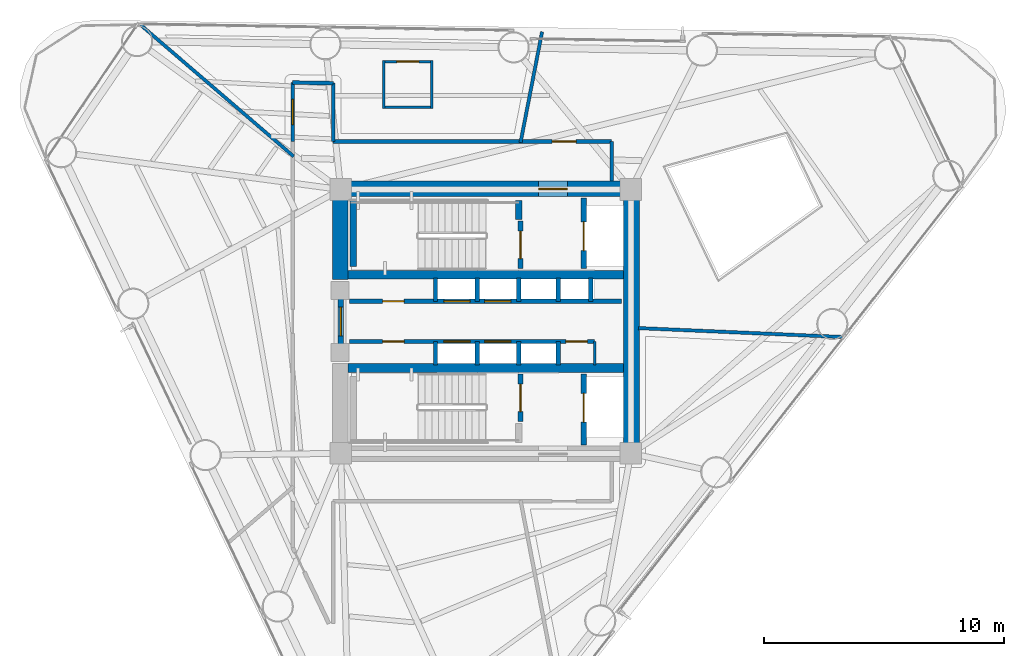
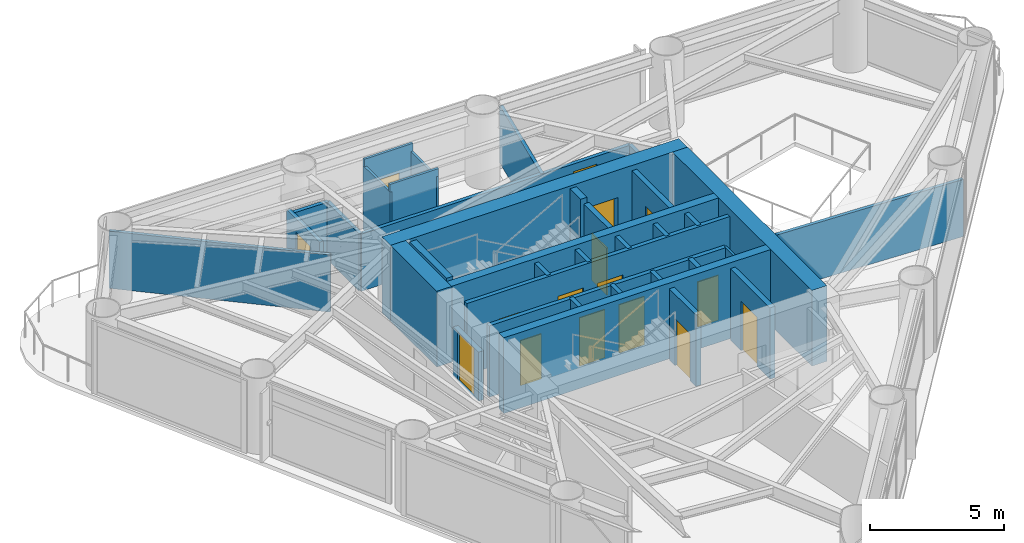
# One storey, part 6 of 10: 36 walls, 16 doors, 16 openings.
"""IFC4 building model written with IfcOpenShell, lengths in metres."""

from ifc_helpers import new_model, si_unit, direction, frame, frame_2d, origin, place, context, subcontext, project, spatial, rectangle, extrude, material, layer, layer_set, type_object, element, fill, save


model = new_model("IFC4")

# Units and contexts
model_context = context("Model", 3, precision=1e-05, world=origin(), true_north=direction((0.0, 1.0)))
body_context = subcontext(model_context, "Body", "Model", "MODEL_VIEW")
ifc_project = project(units=[si_unit("LENGTHUNIT", "METRE"), si_unit("AREAUNIT", "SQUARE_METRE"), si_unit("VOLUMEUNIT", "CUBIC_METRE"), si_unit("PLANEANGLEUNIT", "RADIAN"), si_unit("MASSUNIT", "GRAM", prefix="KILO")], contexts=[model_context])

# Site, building, storey
site_placement = place(None, origin())
site = spatial("IfcSite", under=ifc_project, at=site_placement, CompositionType="ELEMENT")
building_placement = place(site_placement, origin())
building = spatial("IfcBuilding", under=site, at=building_placement, Name="Yunling Apex Tower", CompositionType="ELEMENT")
storey_placement = place(building_placement, frame((0.0, 0.0, 146.75)))
storey = spatial("IfcBuildingStorey", under=building, at=storey_placement, Name="L36", CompositionType="ELEMENT", Elevation=146.75)

# Wall, opening, door
ifc_material_1 = material(Name="Concrete C50", Category="concrete")
ifc_layer_1 = layer(ifc_material_1, 0.64990234375)
ifc_layer_set_1 = layer_set([ifc_layer_1], Name="Concrete C50")
wall_type_1 = type_object("IfcWallType", Name="WL-COR-2", PredefinedType="SHEAR", material=ifc_layer_set_1)
wall_1_placement = place(storey_placement, frame((-6.39990234375, 5.52490234375, 0.0), z_axis=(0.0, 0.0, 1.0), x_axis=(1.0, 0.0, 0.0)))
wall_1 = element("IfcWall", 1, at=wall_1_placement, inside=storey, type_object=wall_type_1, Name="L36 North Core Shear Wall", PredefinedType="SHEAR", context=body_context, shape_type="SweptSolid", body=[
    extrude(rectangle(XDim=12.7998046875, YDim=0.64990234375, at=frame_2d((6.39990234375, 0.0))), origin(), (0.0, 0.0, 1.0), 3.449951171875),
])
opening_1_placement = place(wall_1_placement, frame((8.60009765625, 0.0, 0.0)))
opening_1 = element("IfcOpeningElement", 2, at=opening_1_placement, cuts=wall_1, Name="Opening DR-FFL-1", PredefinedType="OPENING", context=body_context, shape_type="SweptSolid", body=[
    extrude(rectangle(XDim=1.199951171875, YDim=2.199951171875, at=frame_2d((0.60009765625, 1.10009765625))), frame((0.0, 0.3349609375, 0.0), z_axis=(0.0, -1.0, 0.0), x_axis=(1.0, 0.0, 0.0)), (0.0, 0.0, 1.0), 0.669921875),
])
ifc_material_2 = material(Name="Steel Q355B", Category="steel")
door_type_1 = type_object("IfcDoorType", Name="DR-FFL-1", OperationType="NOTDEFINED", PredefinedType="DOOR", material=ifc_material_2)
door_1_placement = place(opening_1_placement, origin())
door_1 = element("IfcDoor", 3, at=door_1_placement, inside=storey, type_object=door_type_1, Name="L36 North Firefighting Lobby Door", OperationType="SINGLE_SWING_LEFT", OverallHeight=2.199951171875, OverallWidth=1.199951171875, PredefinedType="DOOR", context=body_context, shape_type="SweptSolid", body=[
    extrude(rectangle(XDim=1.199951171875, YDim=2.199951171875, at=frame_2d((0.60009765625, 1.10009765625))), frame((0.0, 0.02490234375, 0.0), z_axis=(0.0, -1.0, 0.0), x_axis=(1.0, 0.0, 0.0)), (0.0, 0.0, 1.0), 0.050048828125),
])
fill(opening_1, door_1)

# Walls
wall_2_placement = place(storey_placement, frame((6.074951171875, -5.199951171875, 0.0), z_axis=(0.0, 0.0, 1.0), x_axis=(0.0, 1.0, 0.0)))
element("IfcWall", 4, at=wall_2_placement, inside=storey, type_object=wall_type_1, Name="L36 East Core Shear Wall", PredefinedType="SHEAR", context=body_context, shape_type="SweptSolid", body=[
    extrude(rectangle(XDim=10.39990234375, YDim=0.64990234375, at=frame_2d((5.199951171875, 0.0))), origin(), (0.0, 0.0, 1.0), 3.449951171875),
])
wall_3_placement = place(storey_placement, frame((-6.074951171875, 1.75, 0.0), z_axis=(0.0, 0.0, 1.0), x_axis=(0.0, 1.0, 0.0)))
element("IfcWall", 5, at=wall_3_placement, inside=storey, type_object=wall_type_1, Name="L36 West-North Core Shear Wall", PredefinedType="SHEAR", context=body_context, shape_type="SweptSolid", body=[
    extrude(rectangle(XDim=3.449951171875, YDim=0.64990234375, at=frame_2d((1.72509765625, 0.0))), origin(), (0.0, 0.0, 1.0), 3.449951171875),
])
ifc_material_3 = material(Name="Concrete C40", Category="concrete")
ifc_layer_2 = layer(ifc_material_3, 0.360107421875)
ifc_layer_set_2 = layer_set([ifc_layer_2], Name="Concrete C40")
wall_type_2 = type_object("IfcWallType", Name="WL-COR-4", PredefinedType="SHEAR", material=ifc_layer_set_2)
for number, where, z_axis, x_axis, name in (
    (6, (-5.75, 1.93994140625, 0.0), (0.0, 0.0, 1.0), (1.0, 0.0, 0.0), "L36 North Internal Core Shear Wall"),
    (7, (-5.75, -1.93994140625, 0.0), (0.0, 0.0, 1.0), (1.0, 0.0, 0.0), "L36 South Internal Core Shear Wall"),
):
    element("IfcWall", number, at=place(storey_placement, frame(where, z_axis=z_axis, x_axis=x_axis)), inside=storey, type_object=wall_type_2, Name=name, PredefinedType="SHEAR", context=body_context, shape_type="SweptSolid", body=[
        extrude(rectangle(XDim=11.5, YDim=0.360107421875, at=frame_2d((5.75, 0.0))), origin(), (0.0, 0.0, 1.0), 3.449951171875),
    ])
ifc_layer_3 = layer(ifc_material_3, 0.280029296875)
ifc_layer_set_3 = layer_set([ifc_layer_3], Name="Concrete C40")
wall_type_3 = type_object("IfcWallType", Name="WL-COR-8", PredefinedType="SHEAR", material=ifc_layer_set_3)
wall_4_placement = place(storey_placement, frame((-5.52001953125, 2.300048828125, 0.0), z_axis=(0.0, 0.0, 1.0), x_axis=(0.0, 1.0, 0.0)))
element("IfcWall", 8, at=wall_4_placement, inside=storey, type_object=wall_type_3, Name="L36 ST-1 West Landing Bearing Wall", PredefinedType="SHEAR", context=body_context, shape_type="SweptSolid", body=[
    extrude(rectangle(XDim=2.75, YDim=0.280029296875, at=frame_2d((1.375, 0.0))), origin(), (0.0, 0.0, 1.0), 3.449951171875),
])
wall_5_placement = place(storey_placement, frame((1.3798828125, 4.25, 0.0), z_axis=(0.0, 0.0, 1.0), x_axis=(0.0, 1.0, 0.0)))
element("IfcWall", 9, at=wall_5_placement, inside=storey, type_object=wall_type_3, Name="L36 ST-1 East Landing Bearing Pier", PredefinedType="SHEAR", context=body_context, shape_type="SweptSolid", body=[
    extrude(rectangle(XDim=0.800048828125, YDim=0.280029296875, at=frame_2d((0.39990234375, 0.0))), origin(), (0.0, 0.0, 1.0), 3.449951171875),
])

# Wall, opening, door
ifc_material_4 = material(Name="Gypsum board acoustic partition")
ifc_layer_4 = layer(ifc_material_4, 0.159912109375)
ifc_layer_set_4 = layer_set([ifc_layer_4], Name="Gypsum board acoustic partition")
wall_type_4 = type_object("IfcWallType", Name="WL-PRT-1", PredefinedType="PARTITIONING", material=ifc_layer_set_4)
wall_6_placement = place(storey_placement, frame((-8.050048828125, 7.5, 0.0), z_axis=(0.0, 0.0, 1.0), x_axis=(0.0, 1.0, 0.0)))
wall_6 = element("IfcWall", 10, at=wall_6_placement, inside=storey, type_object=wall_type_4, Name="WL-CORR-L36-04", PredefinedType="PARTITIONING", context=body_context, shape_type="SweptSolid", body=[
    extrude(rectangle(XDim=2.4609375, YDim=0.159912109375, at=frame_2d((1.23046875, 0.0))), origin(), (0.0, 0.0, 1.0), 2.804931640625),
])
opening_2_placement = place(wall_6_placement, frame((0.70556640625, 0.0, 0.0)))
opening_2 = element("IfcOpeningElement", 11, at=opening_2_placement, cuts=wall_6, Name="Opening DR-FL-1", PredefinedType="OPENING", context=body_context, shape_type="SweptSolid", body=[
    extrude(rectangle(XDim=1.050048828125, YDim=2.199951171875, at=frame_2d((0.52490234375, 1.10009765625))), frame((0.0, 0.08984375, 0.0), z_axis=(0.0, -1.0, 0.0), x_axis=(1.0, 0.0, 0.0)), (0.0, 0.0, 1.0), 0.179931640625),
])
ifc_material_5 = material(Name="Timber fire-rated leaf", Category="wood")
door_type_2 = type_object("IfcDoorType", Name="DR-FL-1", OperationType="NOTDEFINED", PredefinedType="DOOR", material=ifc_material_5)
door_2_placement = place(opening_2_placement, origin())
door_2 = element("IfcDoor", 12, at=door_2_placement, inside=storey, type_object=door_type_2, Name="L36 Hotel Suite Door", OperationType="SINGLE_SWING_RIGHT", OverallHeight=2.199951171875, OverallWidth=1.050048828125, PredefinedType="DOOR", context=body_context, shape_type="SweptSolid", body=[
    extrude(rectangle(XDim=1.050048828125, YDim=2.199951171875, at=frame_2d((0.52490234375, 1.10009765625))), frame((0.0, 0.02490234375, 0.0), z_axis=(0.0, -1.0, 0.0), x_axis=(1.0, 0.0, 0.0)), (0.0, 0.0, 1.0), 0.050048828125),
])
fill(opening_2, door_2)

# Walls
wall_7_placement = place(storey_placement, frame((-8.050048828125, 9.9609375, 0.0), z_axis=(0.0, 0.0, 1.0), x_axis=(0.999859611566, -0.016755809729, 0.0)))
element("IfcWall", 13, at=wall_7_placement, inside=storey, type_object=wall_type_4, Name="WL-CORR-L36-05", PredefinedType="PARTITIONING", context=body_context, shape_type="SweptSolid", body=[
    extrude(rectangle(XDim=1.690185546875, YDim=0.159912109375, at=frame_2d((0.84521484375, 0.0))), origin(), (0.0, 0.0, 1.0), 2.60498046875),
])
wall_8_placement = place(storey_placement, frame((-6.360107421875, 9.9326171875, 0.0), z_axis=(0.0, 0.0, 1.0), x_axis=(0.0, -1.0, 0.0)))
element("IfcWall", 14, at=wall_8_placement, inside=storey, type_object=wall_type_4, Name="WL-CORR-L36-06", PredefinedType="PARTITIONING", context=body_context, shape_type="SweptSolid", body=[
    extrude(rectangle(XDim=2.4326171875, YDim=0.159912109375, at=frame_2d((1.21630859375, 0.0))), origin(), (0.0, 0.0, 1.0), 2.60498046875),
])

# Wall, opening, door
wall_9_placement = place(storey_placement, frame((-6.360107421875, 7.5, 0.0), z_axis=(0.0, 0.0, 1.0), x_axis=(1.0, 0.0, 0.0)))
wall_9 = element("IfcWall", 15, at=wall_9_placement, inside=storey, type_object=wall_type_4, Name="WL-CORR-L36-07", PredefinedType="PARTITIONING", context=body_context, shape_type="SweptSolid", body=[
    extrude(rectangle(XDim=11.610107421875, YDim=0.159912109375, at=frame_2d((5.80517578125, 0.0))), origin(), (0.0, 0.0, 1.0), 2.60498046875),
])
opening_3_placement = place(wall_9_placement, frame((9.12841796875, 0.0, 0.0)))
opening_3 = element("IfcOpeningElement", 16, at=opening_3_placement, cuts=wall_9, Name="Opening DR-OFF-1", PredefinedType="OPENING", context=body_context, shape_type="SweptSolid", body=[
    extrude(rectangle(XDim=1.0, YDim=2.25, at=frame_2d((0.5, 1.125))), frame((0.0, 0.08984375, 0.0), z_axis=(0.0, -1.0, 0.0), x_axis=(1.0, 0.0, 0.0)), (0.0, 0.0, 1.0), 0.179931640625),
])
ifc_material_6 = material(Name="Bronze anodised aluminium", Category="aluminium")
door_type_3 = type_object("IfcDoorType", Name="DR-OFF-1", OperationType="NOTDEFINED", PredefinedType="DOOR", material=ifc_material_6)
door_3_placement = place(opening_3_placement, origin())
door_3 = element("IfcDoor", 17, at=door_3_placement, inside=storey, type_object=door_type_3, Name="L36 Club Lounge Door", OperationType="SINGLE_SWING_LEFT", OverallHeight=2.25, OverallWidth=1.0, PredefinedType="DOOR", context=body_context, shape_type="SweptSolid", body=[
    extrude(rectangle(XDim=1.0, YDim=2.25, at=frame_2d((0.5, 1.125))), frame((0.0, 0.02490234375, 0.0), z_axis=(0.0, -1.0, 0.0), x_axis=(1.0, 0.0, 0.0)), (0.0, 0.0, 1.0), 0.050048828125),
])
fill(opening_3, door_3)

# Walls
wall_10_placement = place(storey_placement, frame((5.25, 7.5, 0.0), z_axis=(0.0, 0.0, 1.0), x_axis=(0.0, -1.0, 0.0)))
element("IfcWall", 18, at=wall_10_placement, inside=storey, type_object=wall_type_4, Name="WL-CORR-L36-08", PredefinedType="PARTITIONING", context=body_context, shape_type="SweptSolid", body=[
    extrude(rectangle(XDim=1.64990234375, YDim=0.159912109375, at=frame_2d((0.824951171875, 0.0))), origin(), (0.0, 0.0, 1.0), 2.60498046875),
])
ifc_layer_5 = layer(ifc_material_4, 0.139892578125)
ifc_layer_set_5 = layer_set([ifc_layer_5], Name="Gypsum board acoustic partition")
wall_type_5 = type_object("IfcWallType", Name="WL-PRT-2", PredefinedType="PARTITIONING", material=ifc_layer_set_5)
wall_11_placement = place(storey_placement, frame((6.360107421875, -0.277587890625, 0.0), z_axis=(0.0, 0.0, 1.0), x_axis=(0.999047707238, -0.043631166178, 0.0)))
element("IfcWall", 19, at=wall_11_placement, inside=storey, type_object=wall_type_5, Name="WL-RAD-L36-01", PredefinedType="PARTITIONING", context=body_context, shape_type="SweptSolid", body=[
    extrude(rectangle(XDim=8.52197265625, YDim=0.139892578125, at=frame_2d((4.260986328125, 0.0))), origin(), (0.0, 0.0, 1.0), 2.60498046875),
])
wall_12_placement = place(storey_placement, frame((1.4501953125, 7.4599609375, 0.0), z_axis=(0.0, 0.0, 1.0), x_axis=(0.190762676882, 0.981636185717, 0.0)))
element("IfcWall", 20, at=wall_12_placement, inside=storey, type_object=wall_type_5, Name="WL-RAD-L36-02", PredefinedType="PARTITIONING", context=body_context, shape_type="SweptSolid", body=[
    extrude(rectangle(XDim=4.703369140625, YDim=0.139892578125, at=frame_2d((2.3515625, 0.0))), origin(), (0.0, 0.0, 1.0), 2.60498046875),
])
wall_13_placement = place(storey_placement, frame((-8.010009765625, 6.881591796875, 0.0), z_axis=(0.0, 0.0, 1.0), x_axis=(-0.758515743862, 0.651654714026, 0.0)))
element("IfcWall", 21, at=wall_13_placement, inside=storey, type_object=wall_type_5, Name="WL-RAD-L36-03", PredefinedType="PARTITIONING", context=body_context, shape_type="SweptSolid", body=[
    extrude(rectangle(XDim=8.403076171875, YDim=0.139892578125, at=frame_2d((4.20166015625, 0.0))), origin(), (0.0, 0.0, 1.0), 2.60498046875),
])
ifc_layer_6 = layer(ifc_material_4, 0.10009765625)
ifc_layer_set_6 = layer_set([ifc_layer_6], Name="Gypsum board acoustic partition")
wall_type_6 = type_object("IfcWallType", Name="WL-PRT-4", PredefinedType="PARTITIONING", material=ifc_layer_set_6)
wall_14_placement = place(storey_placement, frame((4.5400390625, -1.820068359375, 0.0), z_axis=(0.0, 0.0, 1.0), x_axis=(0.0, 1.0, 0.0)))
element("IfcWall", 22, at=wall_14_placement, inside=storey, type_object=wall_type_6, Name="WL-KASE-E-L36", PredefinedType="PARTITIONING", context=body_context, shape_type="SweptSolid", body=[
    extrude(rectangle(XDim=0.97998046875, YDim=0.10009765625, at=frame_2d((0.489990234375, 0.0))), origin(), (0.0, 0.0, 1.0), 3.25),
])

# Wall, opening, door
wall_15_placement = place(storey_placement, frame((-4.300048828125, 10.8359375, 0.0), z_axis=(0.0, 0.0, 1.0), x_axis=(1.0, 0.0, 0.0)))
wall_15 = element("IfcWall", 23, at=wall_15_placement, inside=storey, type_object=wall_type_6, Name="WL-ENS-L36-4N", PredefinedType="PARTITIONING", context=body_context, shape_type="SweptSolid", body=[
    extrude(rectangle(XDim=2.10009765625, YDim=0.10009765625, at=frame_2d((1.050048828125, 0.0))), origin(), (0.0, 0.0, 1.0), 3.25),
])
opening_4_placement = place(wall_15_placement, frame((0.590087890625, 0.0, 0.0)))
opening_4 = element("IfcOpeningElement", 24, at=opening_4_placement, cuts=wall_15, Name="Opening DR-WC-1", PredefinedType="OPENING", context=body_context, shape_type="SweptSolid", body=[
    extrude(rectangle(XDim=0.919921875, YDim=2.10009765625, at=frame_2d((0.4599609375, 1.050048828125))), frame((0.0, 0.06005859375, 0.0), z_axis=(0.0, -1.0, 0.0), x_axis=(1.0, 0.0, 0.0)), (0.0, 0.0, 1.0), 0.1201171875),
])
ifc_material_7 = material(Name="Timber moisture-resistant leaf", Category="wood")
door_type_4 = type_object("IfcDoorType", Name="DR-WC-1", OperationType="NOTDEFINED", PredefinedType="DOOR", material=ifc_material_7)
door_4_placement = place(opening_4_placement, origin())
door_4 = element("IfcDoor", 25, at=door_4_placement, inside=storey, type_object=door_type_4, Name="L36 En-Suite Door", OperationType="SINGLE_SWING_LEFT", OverallHeight=2.10009765625, OverallWidth=0.919921875, PredefinedType="DOOR", context=body_context, shape_type="SweptSolid", body=[
    extrude(rectangle(XDim=0.919921875, YDim=2.10009765625, at=frame_2d((0.4599609375, 1.050048828125))), frame((0.0, 0.02490234375, 0.0), z_axis=(0.0, -1.0, 0.0), x_axis=(1.0, 0.0, 0.0)), (0.0, 0.0, 1.0), 0.050048828125),
])
fill(opening_4, door_4)

# Walls
wall_16_placement = place(storey_placement, frame((-2.199951171875, 8.93603515625, 0.0), z_axis=(0.0, 0.0, 1.0), x_axis=(-1.0, 0.0, 0.0)))
element("IfcWall", 26, at=wall_16_placement, inside=storey, type_object=wall_type_6, Name="WL-ENS-L36-4S", PredefinedType="PARTITIONING", context=body_context, shape_type="SweptSolid", body=[
    extrude(rectangle(XDim=2.10009765625, YDim=0.10009765625, at=frame_2d((1.050048828125, 0.0))), origin(), (0.0, 0.0, 1.0), 3.25),
])
for number, where, z_axis, x_axis, name in (
    (27, (-2.25, 10.885986328125, 0.0), (0.0, 0.0, 1.0), (0.0, -1.0, 0.0), "WL-ENS-L36-4E"),
    (28, (-4.25, 8.885986328125, 0.0), (0.0, 0.0, 1.0), (0.0, 1.0, 0.0), "WL-ENS-L36-4W"),
):
    element("IfcWall", number, at=place(storey_placement, frame(where, z_axis=z_axis, x_axis=x_axis)), inside=storey, type_object=wall_type_6, Name=name, PredefinedType="PARTITIONING", context=body_context, shape_type="SweptSolid", body=[
        extrude(rectangle(XDim=2.0, YDim=0.10009765625, at=frame_2d((1.0, 0.0))), origin(), (0.0, 0.0, 1.0), 2.905029296875),
    ])

# Wall, opening, door
ifc_material_8 = material(Name="Autoclaved aerated concrete masonry", Category="masonry")
ifc_layer_7 = layer(ifc_material_8, 0.219970703125)
ifc_layer_set_7 = layer_set([ifc_layer_7], Name="Autoclaved aerated concrete masonry")
wall_type_7 = type_object("IfcWallType", Name="WL-SHF-1", PredefinedType="PLUMBINGWALL", material=ifc_layer_set_7)
wall_17_placement = place(storey_placement, frame((-6.050048828125, -0.949951171875, 0.0), z_axis=(0.0, 0.0, 1.0), x_axis=(0.0, 1.0, 0.0)))
wall_17 = element("IfcWall", 29, at=wall_17_placement, inside=storey, type_object=wall_type_7, Name="WL-COR-WPORT-L36", PredefinedType="PLUMBINGWALL", context=body_context, shape_type="SweptSolid", body=[
    extrude(rectangle(XDim=1.89990234375, YDim=0.219970703125, at=frame_2d((0.949951171875, 0.0))), origin(), (0.0, 0.0, 1.0), 2.22998046875),
])
opening_5_placement = place(wall_17_placement, frame((0.35009765625, 0.0, 0.0)))
opening_5 = element("IfcOpeningElement", 30, at=opening_5_placement, cuts=wall_17, Name="Opening DR-FFL-1", PredefinedType="OPENING", context=body_context, shape_type="SweptSolid", body=[
    extrude(rectangle(XDim=1.199951171875, YDim=2.199951171875, at=frame_2d((0.60009765625, 1.10009765625))), frame((0.0, 0.1201171875, 0.0), z_axis=(0.0, -1.0, 0.0), x_axis=(1.0, 0.0, 0.0)), (0.0, 0.0, 1.0), 0.239990234375),
])
door_5_placement = place(opening_5_placement, origin())
door_5 = element("IfcDoor", 31, at=door_5_placement, inside=storey, type_object=door_type_1, Name="L36 Passenger Lift Lobby Entrance Door", OperationType="SINGLE_SWING_LEFT", OverallHeight=2.199951171875, OverallWidth=1.199951171875, PredefinedType="DOOR", context=body_context, shape_type="SweptSolid", body=[
    extrude(rectangle(XDim=1.199951171875, YDim=2.199951171875, at=frame_2d((0.60009765625, 1.10009765625))), frame((0.0, 0.02490234375, 0.0), z_axis=(0.0, -1.0, 0.0), x_axis=(1.0, 0.0, 0.0)), (0.0, 0.0, 1.0), 0.050048828125),
])
fill(opening_5, door_5)

wall_18_placement = place(storey_placement, frame((1.449951171875, 2.199951171875, 0.0), z_axis=(0.0, 0.0, 1.0), x_axis=(0.0, 1.0, 0.0)))
wall_18 = element("IfcWall", 32, at=wall_18_placement, inside=storey, type_object=wall_type_7, Name="WL-ST1-E-L36", PredefinedType="PLUMBINGWALL", context=body_context, shape_type="SweptSolid", body=[
    extrude(rectangle(XDim=1.97998046875, YDim=0.219970703125, at=frame_2d((0.989990234375, 0.0))), origin(), (0.0, 0.0, 1.0), 3.25),
])
opening_6_placement = place(wall_18_placement, frame((0.419921875, 0.0, 0.0)))
opening_6 = element("IfcOpeningElement", 33, at=opening_6_placement, cuts=wall_18, Name="Opening DR-ST-1", PredefinedType="OPENING", context=body_context, shape_type="SweptSolid", body=[
    extrude(rectangle(XDim=1.14990234375, YDim=2.14990234375, at=frame_2d((0.574951171875, 1.074951171875))), frame((0.0, 0.1201171875, 0.0), z_axis=(0.0, -1.0, 0.0), x_axis=(1.0, 0.0, 0.0)), (0.0, 0.0, 1.0), 0.239990234375),
])
door_type_5 = type_object("IfcDoorType", Name="DR-ST-1", OperationType="NOTDEFINED", PredefinedType="DOOR", material=ifc_material_2)
door_6_placement = place(opening_6_placement, origin())
door_6 = element("IfcDoor", 34, at=door_6_placement, inside=storey, type_object=door_type_5, Name="L36 Stair ST-1 Fire Door", OperationType="SINGLE_SWING_RIGHT", OverallHeight=2.14990234375, OverallWidth=1.14990234375, PredefinedType="DOOR", context=body_context, shape_type="SweptSolid", body=[
    extrude(rectangle(XDim=1.14990234375, YDim=2.14990234375, at=frame_2d((0.574951171875, 1.074951171875))), frame((0.0, 0.02490234375, 0.0), z_axis=(0.0, -1.0, 0.0), x_axis=(1.0, 0.0, 0.0)), (0.0, 0.0, 1.0), 0.050048828125),
])
fill(opening_6, door_6)

wall_19_placement = place(storey_placement, frame((4.080078125, 2.199951171875, 0.0), z_axis=(0.0, 0.0, 1.0), x_axis=(0.0, 1.0, 0.0)))
wall_19 = element("IfcWall", 35, at=wall_19_placement, inside=storey, type_object=wall_type_7, Name="WL-FFL1-W-L36", PredefinedType="PLUMBINGWALL", context=body_context, shape_type="SweptSolid", body=[
    extrude(rectangle(XDim=2.949951171875, YDim=0.219970703125, at=frame_2d((1.47509765625, 0.0))), origin(), (0.0, 0.0, 1.0), 3.25),
])
opening_7_placement = place(wall_19_placement, frame((0.75, 0.0, 0.0)))
opening_7 = element("IfcOpeningElement", 36, at=opening_7_placement, cuts=wall_19, Name="Opening LD-FFL-1", PredefinedType="OPENING", context=body_context, shape_type="SweptSolid", body=[
    extrude(rectangle(XDim=1.199951171875, YDim=2.25, at=frame_2d((0.60009765625, 1.125))), frame((0.0, 0.1201171875, 0.0), z_axis=(0.0, -1.0, 0.0), x_axis=(1.0, 0.0, 0.0)), (0.0, 0.0, 1.0), 0.239990234375),
])
door_type_6 = type_object("IfcDoorType", Name="LD-FFL-1", OperationType="DOUBLE_DOOR_SLIDING", PredefinedType="DOOR", material=ifc_material_2)
door_7_placement = place(opening_7_placement, origin())
door_7 = element("IfcDoor", 37, at=door_7_placement, inside=storey, type_object=door_type_6, Name="L36 Lift FFL-1 Landing Door", OperationType="DOUBLE_DOOR_SLIDING", OverallHeight=2.25, OverallWidth=1.199951171875, PredefinedType="DOOR", context=body_context, shape_type="SweptSolid", body=[
    extrude(rectangle(XDim=1.199951171875, YDim=2.25, at=frame_2d((0.60009765625, 1.125))), frame((0.0, 0.02490234375, 0.0), z_axis=(0.0, -1.0, 0.0), x_axis=(1.0, 0.0, 0.0)), (0.0, 0.0, 1.0), 0.050048828125),
])
fill(opening_7, door_7)

wall_20_placement = place(storey_placement, frame((1.449951171875, -4.179931640625, 0.0), z_axis=(0.0, 0.0, 1.0), x_axis=(0.0, 1.0, 0.0)))
wall_20 = element("IfcWall", 38, at=wall_20_placement, inside=storey, type_object=wall_type_7, Name="WL-ST2-E-L36", PredefinedType="PLUMBINGWALL", context=body_context, shape_type="SweptSolid", body=[
    extrude(rectangle(XDim=1.97998046875, YDim=0.219970703125, at=frame_2d((0.989990234375, 0.0))), origin(), (0.0, 0.0, 1.0), 3.25),
])
opening_8_placement = place(wall_20_placement, frame((0.419921875, 0.0, 0.0)))
opening_8 = element("IfcOpeningElement", 39, at=opening_8_placement, cuts=wall_20, Name="Opening DR-ST-1", PredefinedType="OPENING", context=body_context, shape_type="SweptSolid", body=[
    extrude(rectangle(XDim=1.14990234375, YDim=2.14990234375, at=frame_2d((0.574951171875, 1.074951171875))), frame((0.0, 0.1201171875, 0.0), z_axis=(0.0, -1.0, 0.0), x_axis=(1.0, 0.0, 0.0)), (0.0, 0.0, 1.0), 0.239990234375),
])
door_8_placement = place(opening_8_placement, origin())
door_8 = element("IfcDoor", 40, at=door_8_placement, inside=storey, type_object=door_type_5, Name="L36 Stair ST-2 Fire Door", OperationType="SINGLE_SWING_LEFT", OverallHeight=2.14990234375, OverallWidth=1.14990234375, PredefinedType="DOOR", context=body_context, shape_type="SweptSolid", body=[
    extrude(rectangle(XDim=1.14990234375, YDim=2.14990234375, at=frame_2d((0.574951171875, 1.074951171875))), frame((0.0, 0.02490234375, 0.0), z_axis=(0.0, -1.0, 0.0), x_axis=(1.0, 0.0, 0.0)), (0.0, 0.0, 1.0), 0.050048828125),
])
fill(opening_8, door_8)

wall_21_placement = place(storey_placement, frame((4.080078125, -5.14990234375, 0.0), z_axis=(0.0, 0.0, 1.0), x_axis=(0.0, 1.0, 0.0)))
wall_21 = element("IfcWall", 41, at=wall_21_placement, inside=storey, type_object=wall_type_7, Name="WL-FFL2-W-L36", PredefinedType="PLUMBINGWALL", context=body_context, shape_type="SweptSolid", body=[
    extrude(rectangle(XDim=2.949951171875, YDim=0.219970703125, at=frame_2d((1.47509765625, 0.0))), origin(), (0.0, 0.0, 1.0), 3.25),
])
opening_9_placement = place(wall_21_placement, frame((0.949951171875, 0.0, 0.0)))
opening_9 = element("IfcOpeningElement", 42, at=opening_9_placement, cuts=wall_21, Name="Opening LD-FFL-1", PredefinedType="OPENING", context=body_context, shape_type="SweptSolid", body=[
    extrude(rectangle(XDim=1.199951171875, YDim=2.25, at=frame_2d((0.60009765625, 1.125))), frame((0.0, 0.1201171875, 0.0), z_axis=(0.0, -1.0, 0.0), x_axis=(1.0, 0.0, 0.0)), (0.0, 0.0, 1.0), 0.239990234375),
])
door_9_placement = place(opening_9_placement, origin())
door_9 = element("IfcDoor", 43, at=door_9_placement, inside=storey, type_object=door_type_6, Name="L36 Lift FFL-2 Landing Door", OperationType="DOUBLE_DOOR_SLIDING", OverallHeight=2.25, OverallWidth=1.199951171875, PredefinedType="DOOR", context=body_context, shape_type="SweptSolid", body=[
    extrude(rectangle(XDim=1.199951171875, YDim=2.25, at=frame_2d((0.60009765625, 1.125))), frame((0.0, 0.02490234375, 0.0), z_axis=(0.0, -1.0, 0.0), x_axis=(1.0, 0.0, 0.0)), (0.0, 0.0, 1.0), 0.050048828125),
])
fill(opening_9, door_9)

# Walls
ifc_layer_8 = layer(ifc_material_8, 0.179931640625)
ifc_layer_set_8 = layer_set([ifc_layer_8], Name="Autoclaved aerated concrete masonry")
wall_type_8 = type_object("IfcWallType", Name="WL-SHF-2", PredefinedType="PLUMBINGWALL", material=ifc_layer_set_8)
for number, where, z_axis, x_axis, name in (
    (44, (-2.10009765625, 0.840087890625, 0.0), (0.0, 0.0, 1.0), (0.0, 1.0, 0.0), "WL-BNK-LM-N-L36"),
    (45, (-2.10009765625, -1.820068359375, 0.0), (0.0, 0.0, 1.0), (0.0, 1.0, 0.0), "WL-BNK-LM-S-L36"),
    (46, (-0.35009765625, 0.840087890625, 0.0), (0.0, 0.0, 1.0), (0.0, 1.0, 0.0), "WL-DIV-M12-L36"),
    (47, (-0.35009765625, -1.820068359375, 0.0), (0.0, 0.0, 1.0), (0.0, 1.0, 0.0), "WL-DIV-M34-L36"),
    (48, (1.3798828125, 0.840087890625, 0.0), (0.0, 0.0, 1.0), (0.0, 1.0, 0.0), "WL-BNK-MH-N-L36"),
    (49, (1.3798828125, -1.820068359375, 0.0), (0.0, 0.0, 1.0), (0.0, 1.0, 0.0), "WL-BNK-MH-S-L36"),
    (50, (3.02001953125, 0.840087890625, 0.0), (0.0, 0.0, 1.0), (0.0, 1.0, 0.0), "WL-DIV-H13-L36"),
    (51, (4.3798828125, 0.840087890625, 0.0), (0.0, 0.0, 1.0), (0.0, 1.0, 0.0), "WL-END-H3E-L36"),
    (52, (3.02001953125, -1.820068359375, 0.0), (0.0, 0.0, 1.0), (0.0, 1.0, 0.0), "WL-END-H2E-L36"),
):
    element("IfcWall", number, at=place(storey_placement, frame(where, z_axis=z_axis, x_axis=x_axis)), inside=storey, type_object=wall_type_8, Name=name, PredefinedType="PLUMBINGWALL", context=body_context, shape_type="SweptSolid", body=[
        extrude(rectangle(XDim=0.97998046875, YDim=0.179931640625, at=frame_2d((0.489990234375, 0.0))), origin(), (0.0, 0.0, 1.0), 3.25),
    ])

# Wall, openings, doors
wall_22_placement = place(storey_placement, frame((-5.679931640625, 0.840087890625, 0.0), z_axis=(0.0, 0.0, 1.0), x_axis=(1.0, 0.0, 0.0)))
wall_22 = element("IfcWall", 53, at=wall_22_placement, inside=storey, type_object=wall_type_8, Name="WL-LOB-N-L36", PredefinedType="PLUMBINGWALL", context=body_context, shape_type="SweptSolid", body=[
    extrude(rectangle(XDim=11.329833984375, YDim=0.179931640625, at=frame_2d((5.6650390625, 0.0))), origin(), (0.0, 0.0, 1.0), 3.25),
])
opening_10_placement = place(wall_22_placement, frame((1.3798828125, 0.0, 0.0)))
opening_10 = element("IfcOpeningElement", 54, at=opening_10_placement, cuts=wall_22, Name="Opening DR-SHF-1", PredefinedType="OPENING", context=body_context, shape_type="SweptSolid", body=[
    extrude(rectangle(XDim=0.89990234375, YDim=2.050048828125, at=frame_2d((0.449951171875, 1.02490234375))), frame((0.0, 0.10009765625, 0.0), z_axis=(0.0, -1.0, 0.0), x_axis=(1.0, 0.0, 0.0)), (0.0, 0.0, 1.0), 0.199951171875),
])
opening_11_placement = place(wall_22_placement, frame((3.929931640625, 0.0, 0.0)))
opening_11 = element("IfcOpeningElement", 55, at=opening_11_placement, cuts=wall_22, Name="Opening LD-PAS-1", PredefinedType="OPENING", context=body_context, shape_type="SweptSolid", body=[
    extrude(rectangle(XDim=1.10009765625, YDim=2.199951171875, at=frame_2d((0.550048828125, 1.10009765625))), frame((0.0, 0.10009765625, 0.0), z_axis=(0.0, -1.0, 0.0), x_axis=(1.0, 0.0, 0.0)), (0.0, 0.0, 1.0), 0.199951171875),
])
opening_12_placement = place(wall_22_placement, frame((5.6298828125, 0.0, 0.0)))
opening_12 = element("IfcOpeningElement", 56, at=opening_12_placement, cuts=wall_22, Name="Opening LD-PAS-1", PredefinedType="OPENING", context=body_context, shape_type="SweptSolid", body=[
    extrude(rectangle(XDim=1.10009765625, YDim=2.199951171875, at=frame_2d((0.550048828125, 1.10009765625))), frame((0.0, 0.10009765625, 0.0), z_axis=(0.0, -1.0, 0.0), x_axis=(1.0, 0.0, 0.0)), (0.0, 0.0, 1.0), 0.199951171875),
])
door_type_7 = type_object("IfcDoorType", Name="DR-SHF-1", OperationType="NOTDEFINED", PredefinedType="DOOR", material=ifc_material_2)
door_10_placement = place(opening_10_placement, origin())
door_10 = element("IfcDoor", 57, at=door_10_placement, inside=storey, type_object=door_type_7, Name="L36 Parcel Store Door", OperationType="SINGLE_SWING_RIGHT", OverallHeight=2.050048828125, OverallWidth=0.89990234375, PredefinedType="DOOR", context=body_context, shape_type="SweptSolid", body=[
    extrude(rectangle(XDim=0.89990234375, YDim=2.050048828125, at=frame_2d((0.449951171875, 1.02490234375))), frame((0.0, 0.02490234375, 0.0), z_axis=(0.0, -1.0, 0.0), x_axis=(1.0, 0.0, 0.0)), (0.0, 0.0, 1.0), 0.050048828125),
])
fill(opening_10, door_10)
ifc_material_9 = material(Name="Silver anodised aluminium", Category="aluminium")
door_type_8 = type_object("IfcDoorType", Name="LD-PAS-1", OperationType="DOUBLE_DOOR_SLIDING", PredefinedType="DOOR", material=ifc_material_9)
door_11_placement = place(opening_11_placement, origin())
door_11 = element("IfcDoor", 58, at=door_11_placement, inside=storey, type_object=door_type_8, Name="L36 Lift PL-M1 Landing Door", OperationType="DOUBLE_DOOR_SLIDING", OverallHeight=2.199951171875, OverallWidth=1.10009765625, PredefinedType="DOOR", context=body_context, shape_type="SweptSolid", body=[
    extrude(rectangle(XDim=1.10009765625, YDim=2.199951171875, at=frame_2d((0.550048828125, 1.10009765625))), frame((0.0, 0.02490234375, 0.0), z_axis=(0.0, -1.0, 0.0), x_axis=(1.0, 0.0, 0.0)), (0.0, 0.0, 1.0), 0.050048828125),
])
fill(opening_11, door_11)
door_12_placement = place(opening_12_placement, origin())
door_12 = element("IfcDoor", 59, at=door_12_placement, inside=storey, type_object=door_type_8, Name="L36 Lift PL-M2 Landing Door", OperationType="DOUBLE_DOOR_SLIDING", OverallHeight=2.199951171875, OverallWidth=1.10009765625, PredefinedType="DOOR", context=body_context, shape_type="SweptSolid", body=[
    extrude(rectangle(XDim=1.10009765625, YDim=2.199951171875, at=frame_2d((0.550048828125, 1.10009765625))), frame((0.0, 0.02490234375, 0.0), z_axis=(0.0, -1.0, 0.0), x_axis=(1.0, 0.0, 0.0)), (0.0, 0.0, 1.0), 0.050048828125),
])
fill(opening_12, door_12)

wall_23_placement = place(storey_placement, frame((-5.679931640625, -0.840087890625, 0.0), z_axis=(0.0, 0.0, 1.0), x_axis=(1.0, 0.0, 0.0)))
wall_23 = element("IfcWall", 60, at=wall_23_placement, inside=storey, type_object=wall_type_8, Name="WL-LOB-S-L36", PredefinedType="PLUMBINGWALL", context=body_context, shape_type="SweptSolid", body=[
    extrude(rectangle(XDim=10.219970703125, YDim=0.179931640625, at=frame_2d((5.10986328125, 0.0))), origin(), (0.0, 0.0, 1.0), 3.25),
])
opening_13_placement = place(wall_23_placement, frame((1.3798828125, 0.0, 0.0)))
opening_13 = element("IfcOpeningElement", 61, at=opening_13_placement, cuts=wall_23, Name="Opening DR-SHF-1", PredefinedType="OPENING", context=body_context, shape_type="SweptSolid", body=[
    extrude(rectangle(XDim=0.89990234375, YDim=2.050048828125, at=frame_2d((0.449951171875, 1.02490234375))), frame((0.0, 0.10009765625, 0.0), z_axis=(0.0, -1.0, 0.0), x_axis=(1.0, 0.0, 0.0)), (0.0, 0.0, 1.0), 0.199951171875),
])
opening_14_placement = place(wall_23_placement, frame((3.929931640625, 0.0, 0.0)))
opening_14 = element("IfcOpeningElement", 62, at=opening_14_placement, cuts=wall_23, Name="Opening LD-PAS-1", PredefinedType="OPENING", context=body_context, shape_type="SweptSolid", body=[
    extrude(rectangle(XDim=1.10009765625, YDim=2.199951171875, at=frame_2d((0.550048828125, 1.10009765625))), frame((0.0, 0.10009765625, 0.0), z_axis=(0.0, -1.0, 0.0), x_axis=(1.0, 0.0, 0.0)), (0.0, 0.0, 1.0), 0.199951171875),
])
opening_15_placement = place(wall_23_placement, frame((5.6298828125, 0.0, 0.0)))
opening_15 = element("IfcOpeningElement", 63, at=opening_15_placement, cuts=wall_23, Name="Opening LD-PAS-1", PredefinedType="OPENING", context=body_context, shape_type="SweptSolid", body=[
    extrude(rectangle(XDim=1.10009765625, YDim=2.199951171875, at=frame_2d((0.550048828125, 1.10009765625))), frame((0.0, 0.10009765625, 0.0), z_axis=(0.0, -1.0, 0.0), x_axis=(1.0, 0.0, 0.0)), (0.0, 0.0, 1.0), 0.199951171875),
])
opening_16_placement = place(wall_23_placement, frame((9.02001953125, 0.0, 0.0)))
opening_16 = element("IfcOpeningElement", 64, at=opening_16_placement, cuts=wall_23, Name="Opening DR-SHF-1", PredefinedType="OPENING", context=body_context, shape_type="SweptSolid", body=[
    extrude(rectangle(XDim=0.89990234375, YDim=2.050048828125, at=frame_2d((0.449951171875, 1.02490234375))), frame((0.0, 0.10009765625, 0.0), z_axis=(0.0, -1.0, 0.0), x_axis=(1.0, 0.0, 0.0)), (0.0, 0.0, 1.0), 0.199951171875),
])
door_13_placement = place(opening_13_placement, origin())
door_13 = element("IfcDoor", 65, at=door_13_placement, inside=storey, type_object=door_type_7, Name="L36 Telecoms Room Door", OperationType="SINGLE_SWING_LEFT", OverallHeight=2.050048828125, OverallWidth=0.89990234375, PredefinedType="DOOR", context=body_context, shape_type="SweptSolid", body=[
    extrude(rectangle(XDim=0.89990234375, YDim=2.050048828125, at=frame_2d((0.449951171875, 1.02490234375))), frame((0.0, 0.02490234375, 0.0), z_axis=(0.0, -1.0, 0.0), x_axis=(1.0, 0.0, 0.0)), (0.0, 0.0, 1.0), 0.050048828125),
])
fill(opening_13, door_13)
door_14_placement = place(opening_16_placement, origin())
door_14 = element("IfcDoor", 66, at=door_14_placement, inside=storey, type_object=door_type_7, Name="L36 Core Electrical Room Door", OperationType="SINGLE_SWING_RIGHT", OverallHeight=2.050048828125, OverallWidth=0.89990234375, PredefinedType="DOOR", context=body_context, shape_type="SweptSolid", body=[
    extrude(rectangle(XDim=0.89990234375, YDim=2.050048828125, at=frame_2d((0.449951171875, 1.02490234375))), frame((0.0, 0.02490234375, 0.0), z_axis=(0.0, -1.0, 0.0), x_axis=(1.0, 0.0, 0.0)), (0.0, 0.0, 1.0), 0.050048828125),
])
fill(opening_16, door_14)
door_15_placement = place(opening_14_placement, origin())
door_15 = element("IfcDoor", 67, at=door_15_placement, inside=storey, type_object=door_type_8, Name="L36 Lift PL-M3 Landing Door", OperationType="DOUBLE_DOOR_SLIDING", OverallHeight=2.199951171875, OverallWidth=1.10009765625, PredefinedType="DOOR", context=body_context, shape_type="SweptSolid", body=[
    extrude(rectangle(XDim=1.10009765625, YDim=2.199951171875, at=frame_2d((0.550048828125, 1.10009765625))), frame((0.0, 0.02490234375, 0.0), z_axis=(0.0, -1.0, 0.0), x_axis=(1.0, 0.0, 0.0)), (0.0, 0.0, 1.0), 0.050048828125),
])
fill(opening_14, door_15)
door_16_placement = place(opening_15_placement, origin())
door_16 = element("IfcDoor", 68, at=door_16_placement, inside=storey, type_object=door_type_8, Name="L36 Lift PL-M4 Landing Door", OperationType="DOUBLE_DOOR_SLIDING", OverallHeight=2.199951171875, OverallWidth=1.10009765625, PredefinedType="DOOR", context=body_context, shape_type="SweptSolid", body=[
    extrude(rectangle(XDim=1.10009765625, YDim=2.199951171875, at=frame_2d((0.550048828125, 1.10009765625))), frame((0.0, 0.02490234375, 0.0), z_axis=(0.0, -1.0, 0.0), x_axis=(1.0, 0.0, 0.0)), (0.0, 0.0, 1.0), 0.050048828125),
])
fill(opening_15, door_16)

save(model, "model.ifc")
